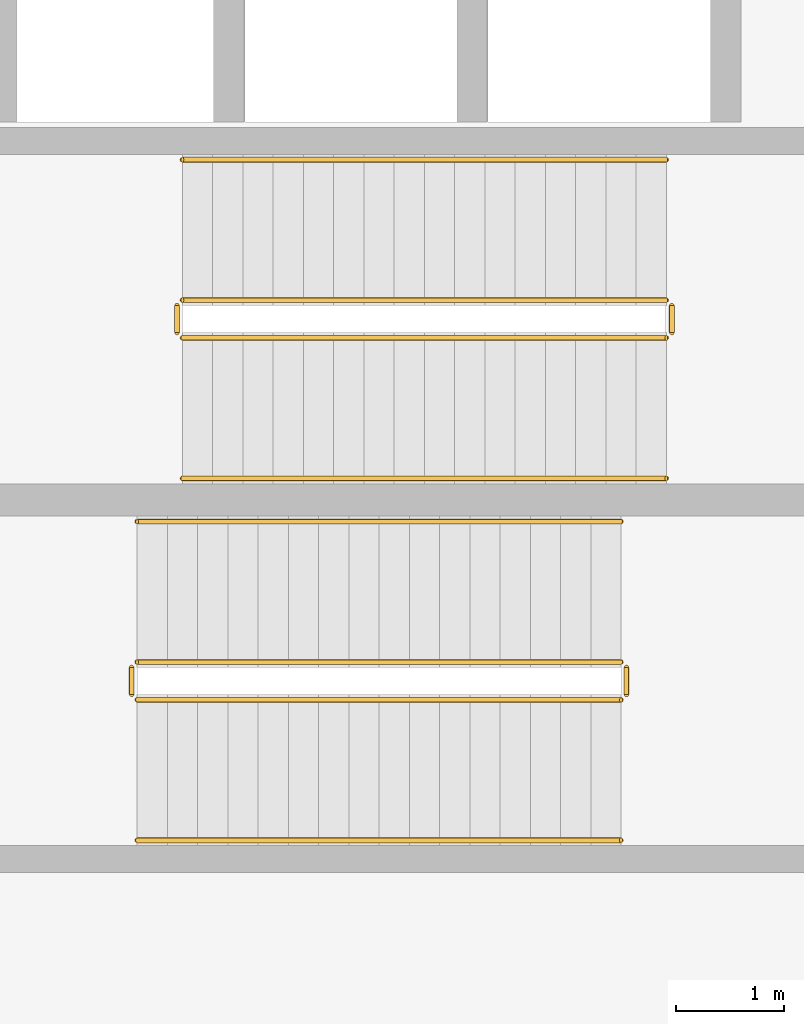
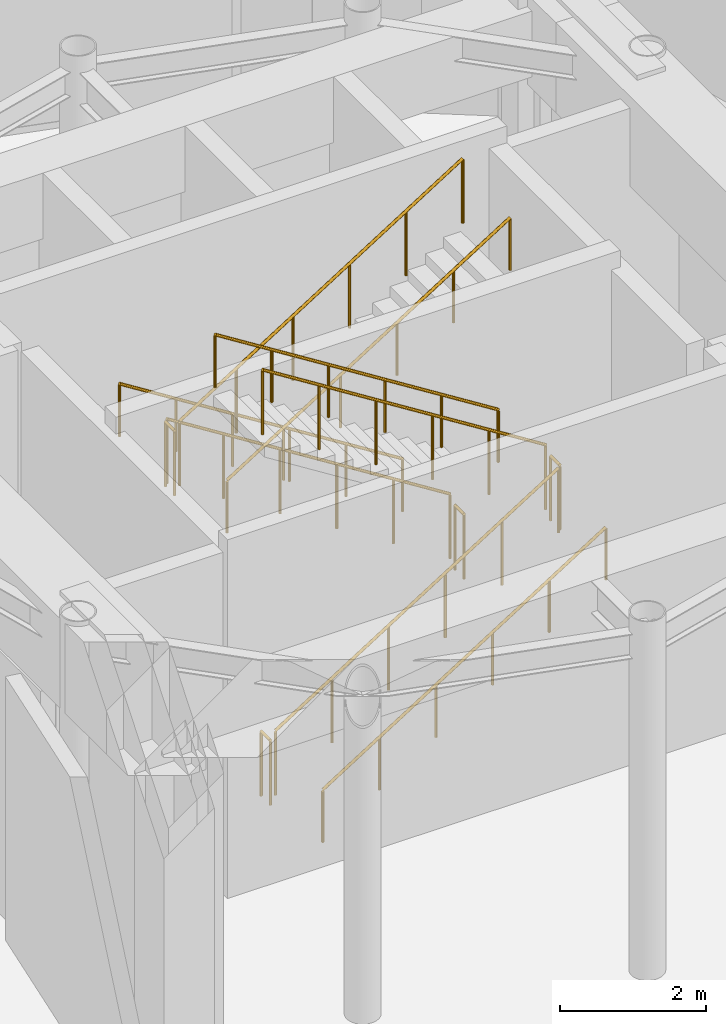
# One storey, part 12 of 12: 12 railings.
"""IFC4 building model written with IfcOpenShell, lengths in metres."""

from ifc_helpers import new_model, si_unit, direction, frame, origin, origin_2d, place, context, subcontext, project, spatial, circle, extrude, material, type_object, element, save


model = new_model("IFC4")

# Units and contexts
model_context = context("Model", 3, precision=1e-05, world=origin(), true_north=direction((0.0, 1.0)))
body_context = subcontext(model_context, "Body", "Model", "MODEL_VIEW")
ifc_project = project(units=[si_unit("LENGTHUNIT", "METRE"), si_unit("AREAUNIT", "SQUARE_METRE"), si_unit("VOLUMEUNIT", "CUBIC_METRE"), si_unit("PLANEANGLEUNIT", "RADIAN"), si_unit("MASSUNIT", "GRAM", prefix="KILO")], contexts=[model_context])

# Site, building, storey
site_placement = place(None, origin())
site = spatial("IfcSite", under=ifc_project, at=site_placement, CompositionType="ELEMENT")
building_placement = place(site_placement, origin())
building = spatial("IfcBuilding", under=site, at=building_placement, Name="Solvirekh Grand Hotel", CompositionType="ELEMENT")
storey_placement = place(building_placement, frame((0.0, 0.0, 302.199951171875)))
storey = spatial("IfcBuildingStorey", under=building, at=storey_placement, Name="L78", CompositionType="ELEMENT", Elevation=302.199951171875)

# Railings
ifc_material_1 = material(Name="Steel S355", Category="steel")
railing_type_1 = type_object("IfcRailingType", Name="Guard_Stair_1100", PredefinedType="GUARDRAIL", material=ifc_material_1)
railing_1_placement = place(storey_placement, frame((-2.449951171875, -1.85009765625, 0.176513671875)))
element("IfcRailing", 1, at=railing_1_placement, inside=storey, type_object=railing_type_1, Name="L78 ST-1 stair guard 1", PredefinedType="GUARDRAIL", context=body_context, shape_type="SweptSolid", body=[
    extrude(circle(Radius=0.02392578125, at=origin_2d()), frame((0.0, 0.0, 1.076171875), z_axis=(0.845997938375, 0.0, 0.533186166611), x_axis=(0.0, 1.0, 0.0)), (0.0, 0.0, 1.0), 5.29541015625),
    extrude(circle(Radius=0.02099609375, at=origin_2d()), origin(), (0.0, 0.0, 1.0), 1.052001953125),
    extrude(circle(Radius=0.02099609375, at=origin_2d()), frame((0.89599609375, 0.0, 0.564697265625)), (0.0, 0.0, 1.0), 1.052001953125),
    extrude(circle(Radius=0.02099609375, at=origin_2d()), frame((1.7919921875, 0.0, 1.12939453125)), (0.0, 0.0, 1.0), 1.052001953125),
    extrude(circle(Radius=0.02099609375, at=origin_2d()), frame((2.68798828125, 0.0, 1.694091796875)), (0.0, 0.0, 1.0), 1.052001953125),
    extrude(circle(Radius=0.02099609375, at=origin_2d()), frame((3.583984375, 0.0, 2.2587890625)), (0.0, 0.0, 1.0), 1.052001953125),
    extrude(circle(Radius=0.02099609375, at=origin_2d()), frame((4.47998046875, 0.0, 2.823486328125)), (0.0, 0.0, 1.0), 1.052001953125),
])
railing_2_placement = place(storey_placement, frame((2.080078125, -1.800048828125, 3.0)))
element("IfcRailing", 2, at=railing_2_placement, inside=storey, type_object=railing_type_1, Name="L78 ST-1 stair guard 2", PredefinedType="GUARDRAIL", context=body_context, shape_type="SweptSolid", body=[
    extrude(circle(Radius=0.02392578125, at=origin_2d()), frame((0.0, 0.0, 1.076171875), z_axis=(0.0, 1.0, 0.0), x_axis=(-1.0, 0.0, 0.0)), (0.0, 0.0, 1.0), 0.25),
    extrude(circle(Radius=0.02099609375, at=origin_2d()), origin(), (0.0, 0.0, 1.0), 1.052001953125),
    extrude(circle(Radius=0.02099609375, at=origin_2d()), frame((0.0, 0.25, 0.0)), (0.0, 0.0, 1.0), 1.052001953125),
])
railing_3_placement = place(storey_placement, frame((2.030029296875, -1.5, 3.176513671875)))
element("IfcRailing", 3, at=railing_3_placement, inside=storey, type_object=railing_type_1, Name="L78 ST-1 stair guard 3", PredefinedType="GUARDRAIL", context=body_context, shape_type="SweptSolid", body=[
    extrude(circle(Radius=0.02392578125, at=origin_2d()), frame((0.0, 0.0, 1.076171875), z_axis=(-0.845997938375, 0.0, 0.533186166611), x_axis=(0.0, -1.0, 0.0)), (0.0, 0.0, 1.0), 5.29541015625),
    extrude(circle(Radius=0.02099609375, at=origin_2d()), origin(), (0.0, 0.0, 1.0), 1.052001953125),
    extrude(circle(Radius=0.02099609375, at=origin_2d()), frame((-0.89599609375, 0.0, 0.564697265625)), (0.0, 0.0, 1.0), 1.052001953125),
    extrude(circle(Radius=0.02099609375, at=origin_2d()), frame((-1.7919921875, 0.0, 1.12939453125)), (0.0, 0.0, 1.0), 1.052001953125),
    extrude(circle(Radius=0.02099609375, at=origin_2d()), frame((-2.68798828125, 0.0, 1.694091796875)), (0.0, 0.0, 1.0), 1.052001953125),
    extrude(circle(Radius=0.02099609375, at=origin_2d()), frame((-3.583984375, 0.0, 2.2587890625)), (0.0, 0.0, 1.0), 1.052001953125),
    extrude(circle(Radius=0.02099609375, at=origin_2d()), frame((-4.47998046875, 0.0, 2.823486328125)), (0.0, 0.0, 1.0), 1.052001953125),
])
railing_4_placement = place(storey_placement, frame((-2.5, -1.800048828125, 0.0)))
element("IfcRailing", 4, at=railing_4_placement, inside=storey, type_object=railing_type_1, Name="L78 ST-1 stair guard 4", PredefinedType="GUARDRAIL", context=body_context, shape_type="SweptSolid", body=[
    extrude(circle(Radius=0.02392578125, at=origin_2d()), frame((0.0, 0.0, 1.076171875), z_axis=(0.0, 1.0, 0.0), x_axis=(-1.0, 0.0, 0.0)), (0.0, 0.0, 1.0), 0.25),
    extrude(circle(Radius=0.02099609375, at=origin_2d()), origin(), (0.0, 0.0, 1.0), 1.052001953125),
    extrude(circle(Radius=0.02099609375, at=origin_2d()), frame((0.0, 0.25, 0.0)), (0.0, 0.0, 1.0), 1.052001953125),
])
railing_5_placement = place(storey_placement, frame((2.449951171875, 1.85009765625, 0.176513671875)))
element("IfcRailing", 5, at=railing_5_placement, inside=storey, type_object=railing_type_1, Name="L78 ST-2 stair guard 1", PredefinedType="GUARDRAIL", context=body_context, shape_type="SweptSolid", body=[
    extrude(circle(Radius=0.02392578125, at=origin_2d()), frame((0.0, 0.0, 1.076171875), z_axis=(-0.845997938375, 0.0, 0.533186166611), x_axis=(0.0, -1.0, 0.0)), (0.0, 0.0, 1.0), 5.29541015625),
    extrude(circle(Radius=0.02099609375, at=origin_2d()), origin(), (0.0, 0.0, 1.0), 1.052001953125),
    extrude(circle(Radius=0.02099609375, at=origin_2d()), frame((-0.89599609375, 0.0, 0.564697265625)), (0.0, 0.0, 1.0), 1.052001953125),
    extrude(circle(Radius=0.02099609375, at=origin_2d()), frame((-1.7919921875, 0.0, 1.12939453125)), (0.0, 0.0, 1.0), 1.052001953125),
    extrude(circle(Radius=0.02099609375, at=origin_2d()), frame((-2.68798828125, 0.0, 1.694091796875)), (0.0, 0.0, 1.0), 1.052001953125),
    extrude(circle(Radius=0.02099609375, at=origin_2d()), frame((-3.583984375, 0.0, 2.2587890625)), (0.0, 0.0, 1.0), 1.052001953125),
    extrude(circle(Radius=0.02099609375, at=origin_2d()), frame((-4.47998046875, 0.0, 2.823486328125)), (0.0, 0.0, 1.0), 1.052001953125),
])
railing_6_placement = place(storey_placement, frame((-2.080078125, 1.800048828125, 3.0)))
element("IfcRailing", 6, at=railing_6_placement, inside=storey, type_object=railing_type_1, Name="L78 ST-2 stair guard 2", PredefinedType="GUARDRAIL", context=body_context, shape_type="SweptSolid", body=[
    extrude(circle(Radius=0.02392578125, at=origin_2d()), frame((0.0, 0.0, 1.076171875), z_axis=(0.0, -1.0, 0.0), x_axis=(1.0, 0.0, 0.0)), (0.0, 0.0, 1.0), 0.25),
    extrude(circle(Radius=0.02099609375, at=origin_2d()), origin(), (0.0, 0.0, 1.0), 1.052001953125),
    extrude(circle(Radius=0.02099609375, at=origin_2d()), frame((0.0, -0.25, 0.0)), (0.0, 0.0, 1.0), 1.052001953125),
])
railing_7_placement = place(storey_placement, frame((-2.030029296875, 1.5, 3.176513671875)))
element("IfcRailing", 7, at=railing_7_placement, inside=storey, type_object=railing_type_1, Name="L78 ST-2 stair guard 3", PredefinedType="GUARDRAIL", context=body_context, shape_type="SweptSolid", body=[
    extrude(circle(Radius=0.02392578125, at=origin_2d()), frame((0.0, 0.0, 1.076171875), z_axis=(0.845997938375, 0.0, 0.533186166611), x_axis=(0.0, 1.0, 0.0)), (0.0, 0.0, 1.0), 5.29541015625),
    extrude(circle(Radius=0.02099609375, at=origin_2d()), origin(), (0.0, 0.0, 1.0), 1.052001953125),
    extrude(circle(Radius=0.02099609375, at=origin_2d()), frame((0.89599609375, 0.0, 0.564697265625)), (0.0, 0.0, 1.0), 1.052001953125),
    extrude(circle(Radius=0.02099609375, at=origin_2d()), frame((1.7919921875, 0.0, 1.12939453125)), (0.0, 0.0, 1.0), 1.052001953125),
    extrude(circle(Radius=0.02099609375, at=origin_2d()), frame((2.68798828125, 0.0, 1.694091796875)), (0.0, 0.0, 1.0), 1.052001953125),
    extrude(circle(Radius=0.02099609375, at=origin_2d()), frame((3.583984375, 0.0, 2.2587890625)), (0.0, 0.0, 1.0), 1.052001953125),
    extrude(circle(Radius=0.02099609375, at=origin_2d()), frame((4.47998046875, 0.0, 2.823486328125)), (0.0, 0.0, 1.0), 1.052001953125),
])
railing_8_placement = place(storey_placement, frame((2.5, 1.800048828125, 0.0)))
element("IfcRailing", 8, at=railing_8_placement, inside=storey, type_object=railing_type_1, Name="L78 ST-2 stair guard 4", PredefinedType="GUARDRAIL", context=body_context, shape_type="SweptSolid", body=[
    extrude(circle(Radius=0.02392578125, at=origin_2d()), frame((0.0, 0.0, 1.076171875), z_axis=(0.0, -1.0, 0.0), x_axis=(1.0, 0.0, 0.0)), (0.0, 0.0, 1.0), 0.25),
    extrude(circle(Radius=0.02099609375, at=origin_2d()), origin(), (0.0, 0.0, 1.0), 1.052001953125),
    extrude(circle(Radius=0.02099609375, at=origin_2d()), frame((0.0, -0.25, 0.0)), (0.0, 0.0, 1.0), 1.052001953125),
])
ifc_material_2 = material(Name="Anodized Bronze Aluminium 6063-T6", Category="aluminium")
railing_type_2 = type_object("IfcRailingType", Name="Handrail_Wall_900", PredefinedType="HANDRAIL", material=ifc_material_2)
railing_9_placement = place(storey_placement, frame((-2.449951171875, -3.14990234375, 0.176513671875)))
element("IfcRailing", 9, at=railing_9_placement, inside=storey, type_object=railing_type_2, Name="L78 ST-1 stair handrail 1", PredefinedType="HANDRAIL", context=body_context, shape_type="SweptSolid", body=[
    extrude(circle(Radius=0.02392578125, at=origin_2d()), frame((0.0, 0.0, 0.8759765625), z_axis=(0.845997938375, 0.0, 0.533186166611), x_axis=(0.0, 1.0, 0.0)), (0.0, 0.0, 1.0), 5.29541015625),
    extrude(circle(Radius=0.02099609375, at=origin_2d()), origin(), (0.0, 0.0, 1.0), 0.851806640625),
    extrude(circle(Radius=0.02099609375, at=origin_2d()), frame((0.89599609375, 0.0, 0.564697265625)), (0.0, 0.0, 1.0), 0.851806640625),
    extrude(circle(Radius=0.02099609375, at=origin_2d()), frame((1.7919921875, 0.0, 1.12939453125)), (0.0, 0.0, 1.0), 0.851806640625),
    extrude(circle(Radius=0.02099609375, at=origin_2d()), frame((2.68798828125, 0.0, 1.694091796875)), (0.0, 0.0, 1.0), 0.851806640625),
    extrude(circle(Radius=0.02099609375, at=origin_2d()), frame((3.583984375, 0.0, 2.2587890625)), (0.0, 0.0, 1.0), 0.851806640625),
    extrude(circle(Radius=0.02099609375, at=origin_2d()), frame((4.47998046875, 0.0, 2.823486328125)), (0.0, 0.0, 1.0), 0.851806640625),
])
for number, where, name in (
    (10, (2.030029296875, -0.199951171875, 3.176513671875), "L78 ST-1 stair handrail 2"),
    (11, (2.449951171875, 3.14990234375, 0.176513671875), "L78 ST-2 stair handrail 1"),
):
    element("IfcRailing", number, at=place(storey_placement, frame(where)), inside=storey, type_object=railing_type_2, Name=name, PredefinedType="HANDRAIL", context=body_context, shape_type="SweptSolid", body=[
        extrude(circle(Radius=0.02392578125, at=origin_2d()), frame((0.0, 0.0, 0.8759765625), z_axis=(-0.845997938375, 0.0, 0.533186166611), x_axis=(0.0, -1.0, 0.0)), (0.0, 0.0, 1.0), 5.29541015625),
        extrude(circle(Radius=0.02099609375, at=origin_2d()), origin(), (0.0, 0.0, 1.0), 0.851806640625),
        extrude(circle(Radius=0.02099609375, at=origin_2d()), frame((-0.89599609375, 0.0, 0.564697265625)), (0.0, 0.0, 1.0), 0.851806640625),
        extrude(circle(Radius=0.02099609375, at=origin_2d()), frame((-1.7919921875, 0.0, 1.12939453125)), (0.0, 0.0, 1.0), 0.851806640625),
        extrude(circle(Radius=0.02099609375, at=origin_2d()), frame((-2.68798828125, 0.0, 1.694091796875)), (0.0, 0.0, 1.0), 0.851806640625),
        extrude(circle(Radius=0.02099609375, at=origin_2d()), frame((-3.583984375, 0.0, 2.2587890625)), (0.0, 0.0, 1.0), 0.851806640625),
        extrude(circle(Radius=0.02099609375, at=origin_2d()), frame((-4.47998046875, 0.0, 2.823486328125)), (0.0, 0.0, 1.0), 0.851806640625),
    ])
railing_10_placement = place(storey_placement, frame((-2.030029296875, 0.199951171875, 3.176513671875)))
element("IfcRailing", 12, at=railing_10_placement, inside=storey, type_object=railing_type_2, Name="L78 ST-2 stair handrail 2", PredefinedType="HANDRAIL", context=body_context, shape_type="SweptSolid", body=[
    extrude(circle(Radius=0.02392578125, at=origin_2d()), frame((0.0, 0.0, 0.8759765625), z_axis=(0.845997938375, 0.0, 0.533186166611), x_axis=(0.0, 1.0, 0.0)), (0.0, 0.0, 1.0), 5.29541015625),
    extrude(circle(Radius=0.02099609375, at=origin_2d()), origin(), (0.0, 0.0, 1.0), 0.851806640625),
    extrude(circle(Radius=0.02099609375, at=origin_2d()), frame((0.89599609375, 0.0, 0.564697265625)), (0.0, 0.0, 1.0), 0.851806640625),
    extrude(circle(Radius=0.02099609375, at=origin_2d()), frame((1.7919921875, 0.0, 1.12939453125)), (0.0, 0.0, 1.0), 0.851806640625),
    extrude(circle(Radius=0.02099609375, at=origin_2d()), frame((2.68798828125, 0.0, 1.694091796875)), (0.0, 0.0, 1.0), 0.851806640625),
    extrude(circle(Radius=0.02099609375, at=origin_2d()), frame((3.583984375, 0.0, 2.2587890625)), (0.0, 0.0, 1.0), 0.851806640625),
    extrude(circle(Radius=0.02099609375, at=origin_2d()), frame((4.47998046875, 0.0, 2.823486328125)), (0.0, 0.0, 1.0), 0.851806640625),
])

save(model, "model.ifc")
